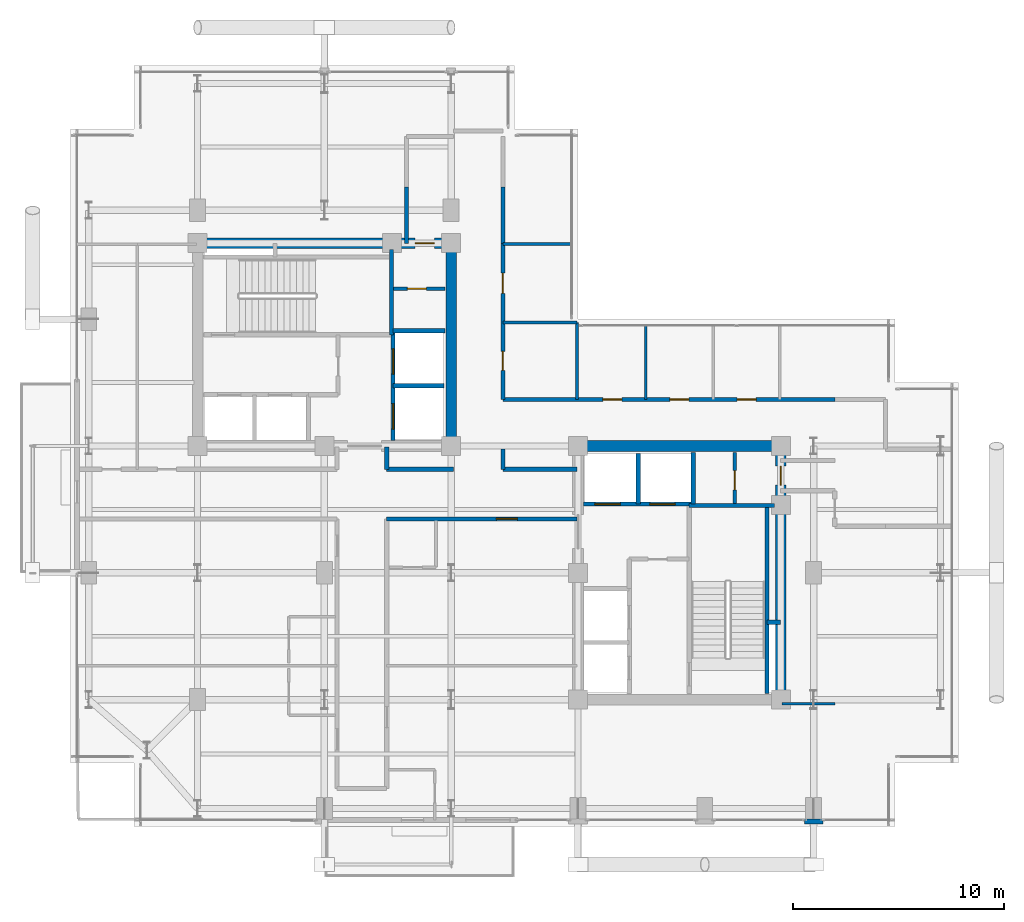
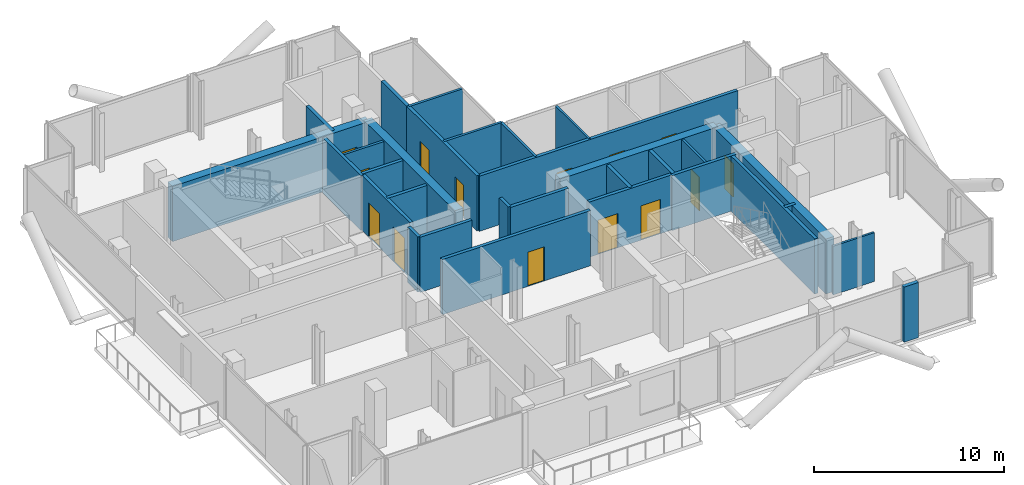
# One storey, part 18 of 21: 31 walls, 14 doors, 14 openings.
"""IFC4 building model written with IfcOpenShell, lengths in metres."""

from ifc_helpers import new_model, si_unit, direction, frame, frame_2d, origin, place, context, subcontext, project, spatial, rectangle, extrude, material, layer, layer_set, type_object, element, fill, save


model = new_model("IFC4")

# Units and contexts
model_context = context("Model", 3, precision=1e-05, world=origin(), true_north=direction((0.0, 1.0)))
body_context = subcontext(model_context, "Body", "Model", "MODEL_VIEW")
ifc_project = project(units=[si_unit("LENGTHUNIT", "METRE"), si_unit("AREAUNIT", "SQUARE_METRE"), si_unit("VOLUMEUNIT", "CUBIC_METRE"), si_unit("PLANEANGLEUNIT", "RADIAN"), si_unit("MASSUNIT", "GRAM", prefix="KILO"), si_unit("THERMODYNAMICTEMPERATUREUNIT", "KELVIN"), si_unit("POWERUNIT", "WATT")], contexts=[model_context])

# Site, building, storey
site_placement = place(None, origin())
site = spatial("IfcSite", under=ifc_project, at=site_placement, CompositionType="ELEMENT")
building_placement = place(site_placement, origin())
building = spatial("IfcBuilding", under=site, at=building_placement, Name="Svarakhadi Broadcast Tower", CompositionType="ELEMENT")
storey_placement = place(building_placement, frame((0.0, 0.0, 208.64990234375)))
storey = spatial("IfcBuildingStorey", under=building, at=storey_placement, Name="L51", CompositionType="ELEMENT", Elevation=208.64990234375)

# Walls
ifc_material_1 = material(Name="Double-Stud Acoustic Studio Partition STC-62", Category="gypsum")
ifc_layer_1 = layer(ifc_material_1, 0.199951171875)
ifc_layer_set_1 = layer_set([ifc_layer_1], Name="Double-Stud Acoustic Studio Partition STC-62")
wall_type_1 = type_object("IfcWallType", Name="Wall_Acoust_200", PredefinedType="PARTITIONING", material=ifc_layer_set_1)
wall_1_placement = place(storey_placement, frame((14.949951171875, 17.949951171875, 0.0), z_axis=(0.0, 0.0, 1.0), x_axis=(0.0, -1.0, 0.0)))
element("IfcWall", 1, at=wall_1_placement, inside=storey, type_object=wall_type_1, Name="L51 Upper Tower Concourse Wall", PredefinedType="PARTITIONING", context=body_context, shape_type="SweptSolid", body=[
    extrude(rectangle(XDim=1.050048828125, YDim=0.199951171875, at=frame_2d((0.52490234375, 0.0))), origin(), (0.0, 0.0, 1.0), 3.5400390625),
])
wall_2_placement = place(storey_placement, frame((14.949951171875, 16.89990234375, 0.0), z_axis=(0.0, 0.0, 1.0), x_axis=(1.0, 0.0, 0.0)))
element("IfcWall", 2, at=wall_2_placement, inside=storey, type_object=wall_type_1, Name="L51 Upper Tower Concourse Wall", PredefinedType="PARTITIONING", context=body_context, shape_type="SweptSolid", body=[
    extrude(rectangle(XDim=3.150146484375, YDim=0.199951171875, at=frame_2d((1.5751953125, 0.0))), origin(), (0.0, 0.0, 1.0), 3.5400390625),
])
for number, where, z_axis, x_axis, name in (
    (3, (15.8798828125, 27.580078125, 0.0), (0.0, 0.0, 1.0), (0.0, 1.0, 0.0), "L51 Upper Tower Concourse Wall"),
    (4, (20.449951171875, 30.25, 0.0), (0.0, 0.0, 1.0), (0.0, -1.0, 0.0), "L51 Upper Tower Concourse Wall"),
):
    element("IfcWall", number, at=place(storey_placement, frame(where, z_axis=z_axis, x_axis=x_axis)), inside=storey, type_object=wall_type_1, Name=name, PredefinedType="PARTITIONING", context=body_context, shape_type="SweptSolid", body=[
        extrude(rectangle(XDim=2.669921875, YDim=0.199951171875, at=frame_2d((1.3349609375, 0.0))), origin(), (0.0, 0.0, 1.0), 3.5400390625),
    ])

# Wall, openings, doors
wall_3_placement = place(storey_placement, frame((20.449951171875, 27.580078125, 0.0), z_axis=(0.0, 0.0, 1.0), x_axis=(0.0, -1.0, 0.0)))
wall_3 = element("IfcWall", 5, at=wall_3_placement, inside=storey, type_object=wall_type_1, Name="L51 Upper Tower Concourse Wall", PredefinedType="PARTITIONING", context=body_context, shape_type="SweptSolid", body=[
    extrude(rectangle(XDim=7.380126953125, YDim=0.199951171875, at=frame_2d((3.68994140625, 0.0))), origin(), (0.0, 0.0, 1.0), 3.5400390625),
])
opening_1_placement = place(wall_3_placement, frame((5.10498046875, 0.0, 0.0)))
opening_1 = element("IfcOpeningElement", 6, at=opening_1_placement, cuts=wall_3, Name="Opening D-12", PredefinedType="OPENING", context=body_context, shape_type="SweptSolid", body=[
    extrude(rectangle(XDim=0.89990234375, YDim=2.10009765625, at=frame_2d((0.449951171875, 1.050048828125))), frame((0.0, 0.10986328125, 0.0), z_axis=(0.0, -1.0, 0.0), x_axis=(1.0, 0.0, 0.0)), (0.0, 0.0, 1.0), 0.219970703125),
])
opening_2_placement = place(wall_3_placement, frame((1.405029296875, 0.0, 0.0)))
opening_2 = element("IfcOpeningElement", 7, at=opening_2_placement, cuts=wall_3, Name="Opening D-07", PredefinedType="OPENING", context=body_context, shape_type="SweptSolid", body=[
    extrude(rectangle(XDim=0.949951171875, YDim=2.14990234375, at=frame_2d((0.47509765625, 1.074951171875))), frame((0.0, 0.10986328125, 0.0), z_axis=(0.0, -1.0, 0.0), x_axis=(1.0, 0.0, 0.0)), (0.0, 0.0, 1.0), 0.219970703125),
])
ifc_material_2 = material(Name="Solid-Core Teak Veneer Acoustic Timber Leaf", Category="wood")
door_type_1 = type_object("IfcDoorType", Name="Door_Office_D07", OperationType="SINGLE_SWING_RIGHT", PredefinedType="DOOR", material=ifc_material_2)
door_1_placement = place(opening_2_placement, origin())
door_1 = element("IfcDoor", 8, at=door_1_placement, inside=storey, type_object=door_type_1, Name="L51 Hotel Butler Service Pantry Door", OperationType="SINGLE_SWING_RIGHT", OverallHeight=2.14990234375, OverallWidth=0.949951171875, PredefinedType="DOOR", context=body_context, shape_type="SweptSolid", body=[
    extrude(rectangle(XDim=0.949951171875, YDim=2.14990234375, at=frame_2d((0.47509765625, 1.074951171875))), frame((0.0, 0.02490234375, 0.0), z_axis=(0.0, -1.0, 0.0), x_axis=(1.0, 0.0, 0.0)), (0.0, 0.0, 1.0), 0.050048828125),
])
fill(opening_2, door_1)
door_type_2 = type_object("IfcDoorType", Name="Door_WC_D01", OperationType="SINGLE_SWING_LEFT", PredefinedType="DOOR", material=ifc_material_2)
door_2_placement = place(opening_1_placement, origin())
door_2 = element("IfcDoor", 9, at=door_2_placement, inside=storey, type_object=door_type_2, Name="L51 Accessible Visitor Washroom WC Door", OperationType="SINGLE_SWING_LEFT", OverallHeight=2.10009765625, OverallWidth=0.89990234375, PredefinedType="DOOR", context=body_context, shape_type="SweptSolid", body=[
    extrude(rectangle(XDim=0.89990234375, YDim=2.10009765625, at=frame_2d((0.449951171875, 1.050048828125))), frame((0.0, 0.02490234375, 0.0), z_axis=(0.0, -1.0, 0.0), x_axis=(1.0, 0.0, 0.0)), (0.0, 0.0, 1.0), 0.050048828125),
])
fill(opening_1, door_2)

wall_4_placement = place(storey_placement, frame((20.449951171875, 20.199951171875, 0.0), z_axis=(0.0, 0.0, 1.0), x_axis=(1.0, 0.0, 0.0)))
wall_4 = element("IfcWall", 10, at=wall_4_placement, inside=storey, type_object=wall_type_1, Name="L51 Upper Tower Concourse Wall", PredefinedType="PARTITIONING", context=body_context, shape_type="SweptSolid", body=[
    extrude(rectangle(XDim=15.699951171875, YDim=0.199951171875, at=frame_2d((7.85009765625, 0.0))), origin(), (0.0, 0.0, 1.0), 3.5400390625),
])
opening_3_placement = place(wall_4_placement, frame((4.72509765625, 0.0, 0.0)))
opening_3 = element("IfcOpeningElement", 11, at=opening_3_placement, cuts=wall_4, Name="Opening D-14", PredefinedType="OPENING", context=body_context, shape_type="SweptSolid", body=[
    extrude(rectangle(XDim=0.89990234375, YDim=2.10009765625, at=frame_2d((0.449951171875, 1.050048828125))), frame((0.0, 0.10986328125, 0.0), z_axis=(0.0, -1.0, 0.0), x_axis=(1.0, 0.0, 0.0)), (0.0, 0.0, 1.0), 0.219970703125),
])
opening_4_placement = place(wall_4_placement, frame((7.89990234375, 0.0, 0.0)))
opening_4 = element("IfcOpeningElement", 12, at=opening_4_placement, cuts=wall_4, Name="Opening D-15", PredefinedType="OPENING", context=body_context, shape_type="SweptSolid", body=[
    extrude(rectangle(XDim=0.89990234375, YDim=2.10009765625, at=frame_2d((0.449951171875, 1.050048828125))), frame((0.0, 0.10986328125, 0.0), z_axis=(0.0, -1.0, 0.0), x_axis=(1.0, 0.0, 0.0)), (0.0, 0.0, 1.0), 0.219970703125),
])
opening_5_placement = place(wall_4_placement, frame((11.074951171875, 0.0, 0.0)))
opening_5 = element("IfcOpeningElement", 13, at=opening_5_placement, cuts=wall_4, Name="Opening D-14", PredefinedType="OPENING", context=body_context, shape_type="SweptSolid", body=[
    extrude(rectangle(XDim=0.89990234375, YDim=2.10009765625, at=frame_2d((0.449951171875, 1.050048828125))), frame((0.0, 0.10986328125, 0.0), z_axis=(0.0, -1.0, 0.0), x_axis=(1.0, 0.0, 0.0)), (0.0, 0.0, 1.0), 0.219970703125),
])
door_type_3 = type_object("IfcDoorType", Name="Door_Int_D14", OperationType="SINGLE_SWING_LEFT", PredefinedType="DOOR", material=ifc_material_2)
door_3_placement = place(opening_3_placement, origin())
door_3 = element("IfcDoor", 14, at=door_3_placement, inside=storey, type_object=door_type_3, Name="L51 Harbour Sky Club Reading Room Door", OperationType="SINGLE_SWING_LEFT", OverallHeight=2.10009765625, OverallWidth=0.89990234375, PredefinedType="DOOR", context=body_context, shape_type="SweptSolid", body=[
    extrude(rectangle(XDim=0.89990234375, YDim=2.10009765625, at=frame_2d((0.449951171875, 1.050048828125))), frame((0.0, 0.02490234375, 0.0), z_axis=(0.0, -1.0, 0.0), x_axis=(1.0, 0.0, 0.0)), (0.0, 0.0, 1.0), 0.050048828125),
])
fill(opening_3, door_3)
door_4_placement = place(opening_5_placement, origin())
door_4 = element("IfcDoor", 15, at=door_4_placement, inside=storey, type_object=door_type_3, Name="L51 VIP Guest Concierge Office Door", OperationType="SINGLE_SWING_LEFT", OverallHeight=2.10009765625, OverallWidth=0.89990234375, PredefinedType="DOOR", context=body_context, shape_type="SweptSolid", body=[
    extrude(rectangle(XDim=0.89990234375, YDim=2.10009765625, at=frame_2d((0.449951171875, 1.050048828125))), frame((0.0, 0.02490234375, 0.0), z_axis=(0.0, -1.0, 0.0), x_axis=(1.0, 0.0, 0.0)), (0.0, 0.0, 1.0), 0.050048828125),
])
fill(opening_5, door_4)
door_type_4 = type_object("IfcDoorType", Name="Door_Int_D15", OperationType="SINGLE_SWING_RIGHT", PredefinedType="DOOR", material=ifc_material_2)
door_5_placement = place(opening_4_placement, origin())
door_5 = element("IfcDoor", 16, at=door_5_placement, inside=storey, type_object=door_type_4, Name="L51 Private Sommelier Tasting Pantry Door", OperationType="SINGLE_SWING_RIGHT", OverallHeight=2.10009765625, OverallWidth=0.89990234375, PredefinedType="DOOR", context=body_context, shape_type="SweptSolid", body=[
    extrude(rectangle(XDim=0.89990234375, YDim=2.10009765625, at=frame_2d((0.449951171875, 1.050048828125))), frame((0.0, 0.02490234375, 0.0), z_axis=(0.0, -1.0, 0.0), x_axis=(1.0, 0.0, 0.0)), (0.0, 0.0, 1.0), 0.050048828125),
])
fill(opening_4, door_5)

# Walls
wall_5_placement = place(storey_placement, frame((20.449951171875, 17.85009765625, 0.0), z_axis=(0.0, 0.0, 1.0), x_axis=(0.0, -1.0, 0.0)))
element("IfcWall", 17, at=wall_5_placement, inside=storey, type_object=wall_type_1, Name="L51 Upper Tower Concourse Wall", PredefinedType="PARTITIONING", context=body_context, shape_type="SweptSolid", body=[
    extrude(rectangle(XDim=0.9501953125, YDim=0.199951171875, at=frame_2d((0.47509765625, 0.0))), origin(), (0.0, 0.0, 1.0), 3.5400390625),
])
wall_6_placement = place(storey_placement, frame((20.449951171875, 16.89990234375, 0.0), z_axis=(0.0, 0.0, 1.0), x_axis=(1.0, 0.0, 0.0)))
element("IfcWall", 18, at=wall_6_placement, inside=storey, type_object=wall_type_1, Name="L51 Upper Tower Concourse Wall", PredefinedType="PARTITIONING", context=body_context, shape_type="SweptSolid", body=[
    extrude(rectangle(XDim=3.5, YDim=0.199951171875, at=frame_2d((1.75, 0.0))), origin(), (0.0, 0.0, 1.0), 3.5400390625),
])

# Wall, opening, door
wall_7_placement = place(storey_placement, frame((23.949951171875, 14.550048828125, 0.0), z_axis=(0.0, 0.0, 1.0), x_axis=(-1.0, 0.0, 0.0)))
wall_7 = element("IfcWall", 19, at=wall_7_placement, inside=storey, type_object=wall_type_1, Name="L51 Upper Tower Concourse Wall", PredefinedType="PARTITIONING", context=body_context, shape_type="SweptSolid", body=[
    extrude(rectangle(XDim=9.0, YDim=0.199951171875, at=frame_2d((4.5, 0.0))), origin(), (0.0, 0.0, 1.0), 3.5400390625),
])
opening_6_placement = place(wall_7_placement, frame((2.81494140625, 0.0, 0.0)))
opening_6 = element("IfcOpeningElement", 20, at=opening_6_placement, cuts=wall_7, Name="Opening D-08", PredefinedType="OPENING", context=body_context, shape_type="SweptSolid", body=[
    extrude(rectangle(XDim=1.0, YDim=2.199951171875, at=frame_2d((0.5, 1.10009765625))), frame((0.0, 0.10986328125, 0.0), z_axis=(0.0, -1.0, 0.0), x_axis=(1.0, 0.0, 0.0)), (0.0, 0.0, 1.0), 0.219970703125),
])
door_type_5 = type_object("IfcDoorType", Name="Door_Suite_D08", OperationType="SINGLE_SWING_LEFT", PredefinedType="DOOR", material=ifc_material_2)
door_6_placement = place(opening_6_placement, origin())
door_6 = element("IfcDoor", 21, at=door_6_placement, inside=storey, type_object=door_type_5, Name="L51 Deluxe Harbour Guest Room Entrance Door", OperationType="SINGLE_SWING_LEFT", OverallHeight=2.199951171875, OverallWidth=1.0, PredefinedType="DOOR", context=body_context, shape_type="SweptSolid", body=[
    extrude(rectangle(XDim=1.0, YDim=2.199951171875, at=frame_2d((0.5, 1.10009765625))), frame((0.0, 0.02490234375, 0.0), z_axis=(0.0, -1.0, 0.0), x_axis=(1.0, 0.0, 0.0)), (0.0, 0.0, 1.0), 0.050048828125),
])
fill(opening_6, door_6)

# Walls
ifc_material_3 = material(Name="Concrete C40/50 (IS 456 M50)", Category="concrete")
ifc_layer_2 = layer(ifc_material_3, 0.239990234375)
ifc_layer_set_2 = layer_set([ifc_layer_2], Name="Concrete C40/50 (IS 456 M50)")
wall_type_2 = type_object("IfcWallType", Name="Wall_Ext_240", PredefinedType="SOLIDWALL", material=ifc_layer_set_2)
wall_8_placement = place(storey_placement, frame((35.590087890625, 0.239990234375, 0.0), z_axis=(0.0, 0.0, 1.0), x_axis=(-1.0, 0.0, 0.0)))
element("IfcWall", 22, at=wall_8_placement, inside=storey, type_object=wall_type_2, Name="L51 Perimeter Bronze Spandrel Closure Wall 03", PredefinedType="SOLIDWALL", context=body_context, shape_type="SweptSolid", body=[
    extrude(rectangle(XDim=0.880126953125, YDim=0.239990234375, at=frame_2d((0.43994140625, 0.0))), origin(), (0.0, 0.0, 1.0), 3.5400390625),
])
ifc_layer_3 = layer(ifc_material_3, 0.199951171875)
ifc_layer_set_3 = layer_set([ifc_layer_3], Name="Concrete C40/50 (IS 456 M50)")
wall_type_3 = type_object("IfcWallType", Name="Wall_Fire_200", PredefinedType="SOLIDWALL", material=ifc_layer_set_3)
wall_9_placement = place(storey_placement, frame((32.93994140625, 9.659912109375, 0.0), z_axis=(0.0, 0.0, 1.0), x_axis=(1.0, 0.0, 0.0)))
element("IfcWall", 23, at=wall_9_placement, inside=storey, type_object=wall_type_3, Name="L51 HV Busduct Riser Shaft North Wall", PredefinedType="SOLIDWALL", context=body_context, shape_type="SweptSolid", body=[
    extrude(rectangle(XDim=0.64013671875, YDim=0.199951171875, at=frame_2d((0.320068359375, 0.0))), origin(), (0.0, 0.0, 1.0), 3.5400390625),
])
ifc_material_4 = material(Name="Fire-Rated Moisture-Resistant Gypsum Board Partition", Category="gypsum")
ifc_layer_4 = layer(ifc_material_4, 0.125)
ifc_layer_set_4 = layer_set([ifc_layer_4], Name="Fire-Rated Moisture-Resistant Gypsum Board Partition")
wall_type_4 = type_object("IfcWallType", Name="Wall_Part_125", PredefinedType="PARTITIONING", material=ifc_layer_set_4)
wall_10_placement = place(storey_placement, frame((27.199951171875, 20.199951171875, 0.0), z_axis=(0.0, 0.0, 1.0), x_axis=(0.0, 1.0, 0.0)))
element("IfcWall", 24, at=wall_10_placement, inside=storey, type_object=wall_type_4, Name="L51 Harbour Sky Club Reading Room Wall", PredefinedType="PARTITIONING", context=body_context, shape_type="SweptSolid", body=[
    extrude(rectangle(XDim=3.5, YDim=0.125, at=frame_2d((1.75, 0.0))), origin(), (0.0, 0.0, 1.0), 3.5400390625),
])
wall_11_placement = place(storey_placement, frame((33.64990234375, 5.800048828125, 0.0), z_axis=(0.0, 0.0, 1.0), x_axis=(1.0, 0.0, 0.0)))
element("IfcWall", 25, at=wall_11_placement, inside=storey, type_object=wall_type_4, Name="L51 Harbour Club Reading Salon Wall", PredefinedType="PARTITIONING", context=body_context, shape_type="SweptSolid", body=[
    extrude(rectangle(XDim=2.5, YDim=0.125, at=frame_2d((1.25, 0.0))), origin(), (0.0, 0.0, 1.0), 3.132080078125),
])

# Wall, opening, door
ifc_material_5 = material(Name="Autoclaved Aerated Concrete Blockwork 150 mm", Category="masonry")
ifc_layer_5 = layer(ifc_material_5, 0.14990234375)
ifc_layer_set_5 = layer_set([ifc_layer_5], Name="Autoclaved Aerated Concrete Blockwork 150 mm")
wall_type_5 = type_object("IfcWallType", Name="Wall_Part_150", PredefinedType="PARTITIONING", material=ifc_layer_set_5)
wall_12_placement = place(storey_placement, frame((15.280029296875, 25.43994140625, 0.0), z_axis=(0.0, 0.0, 1.0), x_axis=(1.0, 0.0, 0.0)))
wall_12 = element("IfcWall", 26, at=wall_12_placement, inside=storey, type_object=wall_type_5, Name="L51 West Core Dual Store Wall", PredefinedType="PARTITIONING", context=body_context, shape_type="SweptSolid", body=[
    extrude(rectangle(XDim=2.419921875, YDim=0.14990234375, at=frame_2d((1.2099609375, 0.0))), origin(), (0.0, 0.0, 1.0), 3.5400390625),
])
opening_7_placement = place(wall_12_placement, frame((0.64990234375, 0.0, 0.0)))
opening_7 = element("IfcOpeningElement", 27, at=opening_7_placement, cuts=wall_12, Name="Opening D-03", PredefinedType="OPENING", context=body_context, shape_type="SweptSolid", body=[
    extrude(rectangle(XDim=0.89990234375, YDim=2.14990234375, at=frame_2d((0.449951171875, 1.074951171875))), frame((0.0, 0.0849609375, 0.0), z_axis=(0.0, -1.0, 0.0), x_axis=(1.0, 0.0, 0.0)), (0.0, 0.0, 1.0), 0.169921875),
])
ifc_material_6 = material(Name="Galvanised Powder-Coated Fire-Rated Steel Leaf", Category="steel")
door_type_6 = type_object("IfcDoorType", Name="Door_Fire_D03", OperationType="SINGLE_SWING_LEFT", PredefinedType="DOOR", material=ifc_material_6)
door_7_placement = place(opening_7_placement, origin())
door_7 = element("IfcDoor", 28, at=door_7_placement, inside=storey, type_object=door_type_6, Name="L51 West Core Store B Door", OperationType="SINGLE_SWING_LEFT", OverallHeight=2.14990234375, OverallWidth=0.89990234375, PredefinedType="DOOR", context=body_context, shape_type="SweptSolid", body=[
    extrude(rectangle(XDim=0.89990234375, YDim=2.14990234375, at=frame_2d((0.449951171875, 1.074951171875))), frame((0.0, 0.02490234375, 0.0), z_axis=(0.0, -1.0, 0.0), x_axis=(1.0, 0.0, 0.0)), (0.0, 0.0, 1.0), 0.050048828125),
])
fill(opening_7, door_7)

wall_13_placement = place(storey_placement, frame((31.419921875, 15.280029296875, 0.0), z_axis=(0.0, 0.0, 1.0), x_axis=(0.0, 1.0, 0.0)))
wall_13 = element("IfcWall", 29, at=wall_13_placement, inside=storey, type_object=wall_type_5, Name="L51 East Core Dual Store Wall", PredefinedType="PARTITIONING", context=body_context, shape_type="SweptSolid", body=[
    extrude(rectangle(XDim=2.419921875, YDim=0.14990234375, at=frame_2d((1.2099609375, 0.0))), origin(), (0.0, 0.0, 1.0), 3.5400390625),
])
opening_8_placement = place(wall_13_placement, frame((0.64990234375, 0.0, 0.0)))
opening_8 = element("IfcOpeningElement", 30, at=opening_8_placement, cuts=wall_13, Name="Opening D-04", PredefinedType="OPENING", context=body_context, shape_type="SweptSolid", body=[
    extrude(rectangle(XDim=0.89990234375, YDim=2.14990234375, at=frame_2d((0.449951171875, 1.074951171875))), frame((0.0, 0.0849609375, 0.0), z_axis=(0.0, -1.0, 0.0), x_axis=(1.0, 0.0, 0.0)), (0.0, 0.0, 1.0), 0.169921875),
])
door_type_7 = type_object("IfcDoorType", Name="Door_Fire_D04", OperationType="SINGLE_SWING_RIGHT", PredefinedType="DOOR", material=ifc_material_6)
door_8_placement = place(opening_8_placement, origin())
door_8 = element("IfcDoor", 31, at=door_8_placement, inside=storey, type_object=door_type_7, Name="L51 East Core Store B Door", OperationType="SINGLE_SWING_RIGHT", OverallHeight=2.14990234375, OverallWidth=0.89990234375, PredefinedType="DOOR", context=body_context, shape_type="SweptSolid", body=[
    extrude(rectangle(XDim=0.89990234375, YDim=2.14990234375, at=frame_2d((0.449951171875, 1.074951171875))), frame((0.0, 0.02490234375, 0.0), z_axis=(0.0, -1.0, 0.0), x_axis=(1.0, 0.0, 0.0)), (0.0, 0.0, 1.0), 0.050048828125),
])
fill(opening_8, door_8)

# Walls
wall_14_placement = place(storey_placement, frame((20.449951171875, 23.85009765625, 0.0), z_axis=(0.0, 0.0, 1.0), x_axis=(1.0, 0.0, 0.0)))
element("IfcWall", 32, at=wall_14_placement, inside=storey, type_object=wall_type_5, Name="L51 Accessible Visitor Washroom WC Wall", PredefinedType="PARTITIONING", context=body_context, shape_type="SweptSolid", body=[
    extrude(rectangle(XDim=3.5, YDim=0.14990234375, at=frame_2d((1.75, 0.0))), origin(), (0.0, 0.0, 1.0), 3.5400390625),
])
wall_15_placement = place(storey_placement, frame((23.949951171875, 20.199951171875, 0.0), z_axis=(0.0, 0.0, 1.0), x_axis=(0.0, 1.0, 0.0)))
element("IfcWall", 33, at=wall_15_placement, inside=storey, type_object=wall_type_5, Name="L51 Accessible Visitor Washroom WC Wall", PredefinedType="PARTITIONING", context=body_context, shape_type="SweptSolid", body=[
    extrude(rectangle(XDim=3.650146484375, YDim=0.14990234375, at=frame_2d((1.8251953125, 0.0))), origin(), (0.0, 0.0, 1.0), 3.5400390625),
])
wall_16_placement = place(storey_placement, frame((20.449951171875, 27.550048828125, 0.0), z_axis=(0.0, 0.0, 1.0), x_axis=(1.0, 0.0, 0.0)))
element("IfcWall", 34, at=wall_16_placement, inside=storey, type_object=wall_type_5, Name="L51 Hotel Butler Service Pantry Wall", PredefinedType="PARTITIONING", context=body_context, shape_type="SweptSolid", body=[
    extrude(rectangle(XDim=3.25, YDim=0.14990234375, at=frame_2d((1.625, 0.0))), origin(), (0.0, 0.0, 1.0), 3.5400390625),
])
ifc_material_7 = material(Name="Concrete C50/60 (IS 456 M60)", Category="concrete")
ifc_layer_6 = layer(ifc_material_7, 0.199951171875)
ifc_layer_set_6 = layer_set([ifc_layer_6], Name="Concrete C50/60 (IS 456 M60)")
wall_type_6 = type_object("IfcWallType", Name="Wall_Shear_200", PredefinedType="SHEAR", material=ifc_layer_set_6)
wall_17_placement = place(storey_placement, frame((15.179931640625, 23.260009765625, 0.0), z_axis=(0.0, 0.0, 1.0), x_axis=(0.0, 1.0, 0.0)))
element("IfcWall", 35, at=wall_17_placement, inside=storey, type_object=wall_type_6, Name="L51 Stair ST-01 East RC Shaft Wall", PredefinedType="SHEAR", context=body_context, shape_type="SweptSolid", body=[
    extrude(rectangle(XDim=4.0400390625, YDim=0.199951171875, at=frame_2d((2.02001953125, 0.0))), origin(), (0.0, 0.0, 1.0), 3.5400390625),
])
wall_18_placement = place(storey_placement, frame((32.93994140625, 6.300048828125, 0.0), z_axis=(0.0, 0.0, 1.0), x_axis=(0.0, 1.0, 0.0)))
element("IfcWall", 36, at=wall_18_placement, inside=storey, type_object=wall_type_6, Name="L51 Stair ST-02 East RC Shaft Wall", PredefinedType="SHEAR", context=body_context, shape_type="SweptSolid", body=[
    extrude(rectangle(XDim=8.8798828125, YDim=0.199951171875, at=frame_2d((4.43994140625, 0.0))), origin(), (0.0, 0.0, 1.0), 3.5400390625),
])
wall_19_placement = place(storey_placement, frame((29.260009765625, 15.179931640625, 0.0), z_axis=(0.0, 0.0, 1.0), x_axis=(1.0, 0.0, 0.0)))
element("IfcWall", 37, at=wall_19_placement, inside=storey, type_object=wall_type_6, Name="L51 Stair ST-02 North RC Shaft Wall", PredefinedType="SHEAR", context=body_context, shape_type="SweptSolid", body=[
    extrude(rectangle(XDim=4.0400390625, YDim=0.199951171875, at=frame_2d((2.02001953125, 0.0))), origin(), (0.0, 0.0, 1.0), 3.5400390625),
])

# Wall, openings, doors
wall_20_placement = place(storey_placement, frame((15.25, 18.25, 0.0), z_axis=(0.0, 0.0, 1.0), x_axis=(0.0, 1.0, 0.0)))
wall_20 = element("IfcWall", 38, at=wall_20_placement, inside=storey, type_object=wall_type_6, Name="L51 High-Rise Lift LF-13/14 West Shaft Wall", PredefinedType="SHEAR", context=body_context, shape_type="SweptSolid", body=[
    extrude(rectangle(XDim=5.199951171875, YDim=0.199951171875, at=frame_2d((2.60009765625, 0.0))), origin(), (0.0, 0.0, 1.0), 3.5400390625),
])
opening_9_placement = place(wall_20_placement, frame((0.550048828125, 0.0, 0.0)))
opening_9 = element("IfcOpeningElement", 39, at=opening_9_placement, cuts=wall_20, Name="Opening LD-02", PredefinedType="OPENING", context=body_context, shape_type="SweptSolid", body=[
    extrude(rectangle(XDim=1.199951171875, YDim=2.199951171875, at=frame_2d((0.60009765625, 1.10009765625))), frame((0.0, 0.10986328125, 0.0), z_axis=(0.0, -1.0, 0.0), x_axis=(1.0, 0.0, 0.0)), (0.0, 0.0, 1.0), 0.219970703125),
])
opening_10_placement = place(wall_20_placement, frame((3.14990234375, 0.0, 0.0)))
opening_10 = element("IfcOpeningElement", 40, at=opening_10_placement, cuts=wall_20, Name="Opening LD-02", PredefinedType="OPENING", context=body_context, shape_type="SweptSolid", body=[
    extrude(rectangle(XDim=1.199951171875, YDim=2.199951171875, at=frame_2d((0.60009765625, 1.10009765625))), frame((0.0, 0.10986328125, 0.0), z_axis=(0.0, -1.0, 0.0), x_axis=(1.0, 0.0, 0.0)), (0.0, 0.0, 1.0), 0.219970703125),
])
door_type_8 = type_object("IfcDoorType", Name="Door_Lift_LD02", OperationType="SLIDING_TO_RIGHT", PredefinedType="DOOR", material=ifc_material_6)
door_9_placement = place(opening_9_placement, origin())
door_9 = element("IfcDoor", 41, at=door_9_placement, inside=storey, type_object=door_type_8, Name="L51 High-Rise Lift LF-13 Landing Door", OperationType="SLIDING_TO_RIGHT", OverallHeight=2.199951171875, OverallWidth=1.199951171875, PredefinedType="DOOR", context=body_context, shape_type="SweptSolid", body=[
    extrude(rectangle(XDim=1.199951171875, YDim=2.199951171875, at=frame_2d((0.60009765625, 1.10009765625))), frame((0.0, 0.02490234375, 0.0), z_axis=(0.0, -1.0, 0.0), x_axis=(1.0, 0.0, 0.0)), (0.0, 0.0, 1.0), 0.050048828125),
])
fill(opening_9, door_9)
door_10_placement = place(opening_10_placement, origin())
door_10 = element("IfcDoor", 42, at=door_10_placement, inside=storey, type_object=door_type_8, Name="L51 High-Rise Lift LF-14 Landing Door", OperationType="SLIDING_TO_RIGHT", OverallHeight=2.199951171875, OverallWidth=1.199951171875, PredefinedType="DOOR", context=body_context, shape_type="SweptSolid", body=[
    extrude(rectangle(XDim=1.199951171875, YDim=2.199951171875, at=frame_2d((0.60009765625, 1.10009765625))), frame((0.0, 0.02490234375, 0.0), z_axis=(0.0, -1.0, 0.0), x_axis=(1.0, 0.0, 0.0)), (0.0, 0.0, 1.0), 0.050048828125),
])
fill(opening_10, door_10)

# Walls
wall_21_placement = place(storey_placement, frame((15.25, 20.85009765625, 0.0), z_axis=(0.0, 0.0, 1.0), x_axis=(1.0, 0.0, 0.0)))
element("IfcWall", 43, at=wall_21_placement, inside=storey, type_object=wall_type_6, Name="L51 High-Rise Lift LF-13/14 Divider", PredefinedType="SHEAR", context=body_context, shape_type="SweptSolid", body=[
    extrude(rectangle(XDim=2.39990234375, YDim=0.199951171875, at=frame_2d((1.199951171875, 0.0))), origin(), (0.0, 0.0, 1.0), 3.5400390625),
])
wall_22_placement = place(storey_placement, frame((15.25, 23.449951171875, 0.0), z_axis=(0.0, 0.0, 1.0), x_axis=(1.0, 0.0, 0.0)))
element("IfcWall", 44, at=wall_22_placement, inside=storey, type_object=wall_type_6, Name="L51 High-Rise Lift LF-13/14 North Wall", PredefinedType="SHEAR", context=body_context, shape_type="SweptSolid", body=[
    extrude(rectangle(XDim=2.449951171875, YDim=0.199951171875, at=frame_2d((1.22509765625, 0.0))), origin(), (0.0, 0.0, 1.0), 3.5400390625),
])

# Wall, openings, doors
wall_23_placement = place(storey_placement, frame((24.25, 15.25, 0.0), z_axis=(0.0, 0.0, 1.0), x_axis=(1.0, 0.0, 0.0)))
wall_23 = element("IfcWall", 45, at=wall_23_placement, inside=storey, type_object=wall_type_6, Name="L51 High-Rise Lift LF-15/16 South Shaft Wall", PredefinedType="SHEAR", context=body_context, shape_type="SweptSolid", body=[
    extrude(rectangle(XDim=5.199951171875, YDim=0.199951171875, at=frame_2d((2.60009765625, 0.0))), origin(), (0.0, 0.0, 1.0), 3.5400390625),
])
opening_11_placement = place(wall_23_placement, frame((0.550048828125, 0.0, 0.0)))
opening_11 = element("IfcOpeningElement", 46, at=opening_11_placement, cuts=wall_23, Name="Opening LD-02", PredefinedType="OPENING", context=body_context, shape_type="SweptSolid", body=[
    extrude(rectangle(XDim=1.199951171875, YDim=2.199951171875, at=frame_2d((0.60009765625, 1.10009765625))), frame((0.0, 0.10986328125, 0.0), z_axis=(0.0, -1.0, 0.0), x_axis=(1.0, 0.0, 0.0)), (0.0, 0.0, 1.0), 0.219970703125),
])
opening_12_placement = place(wall_23_placement, frame((3.14990234375, 0.0, 0.0)))
opening_12 = element("IfcOpeningElement", 47, at=opening_12_placement, cuts=wall_23, Name="Opening LD-02", PredefinedType="OPENING", context=body_context, shape_type="SweptSolid", body=[
    extrude(rectangle(XDim=1.199951171875, YDim=2.199951171875, at=frame_2d((0.60009765625, 1.10009765625))), frame((0.0, 0.10986328125, 0.0), z_axis=(0.0, -1.0, 0.0), x_axis=(1.0, 0.0, 0.0)), (0.0, 0.0, 1.0), 0.219970703125),
])
door_11_placement = place(opening_11_placement, origin())
door_11 = element("IfcDoor", 48, at=door_11_placement, inside=storey, type_object=door_type_8, Name="L51 High-Rise Lift LF-15 Landing Door", OperationType="SLIDING_TO_RIGHT", OverallHeight=2.199951171875, OverallWidth=1.199951171875, PredefinedType="DOOR", context=body_context, shape_type="SweptSolid", body=[
    extrude(rectangle(XDim=1.199951171875, YDim=2.199951171875, at=frame_2d((0.60009765625, 1.10009765625))), frame((0.0, 0.02490234375, 0.0), z_axis=(0.0, -1.0, 0.0), x_axis=(1.0, 0.0, 0.0)), (0.0, 0.0, 1.0), 0.050048828125),
])
fill(opening_11, door_11)
door_12_placement = place(opening_12_placement, origin())
door_12 = element("IfcDoor", 49, at=door_12_placement, inside=storey, type_object=door_type_8, Name="L51 High-Rise Lift LF-16 Landing Door", OperationType="SLIDING_TO_RIGHT", OverallHeight=2.199951171875, OverallWidth=1.199951171875, PredefinedType="DOOR", context=body_context, shape_type="SweptSolid", body=[
    extrude(rectangle(XDim=1.199951171875, YDim=2.199951171875, at=frame_2d((0.60009765625, 1.10009765625))), frame((0.0, 0.02490234375, 0.0), z_axis=(0.0, -1.0, 0.0), x_axis=(1.0, 0.0, 0.0)), (0.0, 0.0, 1.0), 0.050048828125),
])
fill(opening_12, door_12)

# Walls
wall_24_placement = place(storey_placement, frame((26.85009765625, 15.25, 0.0), z_axis=(0.0, 0.0, 1.0), x_axis=(0.0, 1.0, 0.0)))
element("IfcWall", 50, at=wall_24_placement, inside=storey, type_object=wall_type_6, Name="L51 High-Rise Lift LF-15/16 Divider", PredefinedType="SHEAR", context=body_context, shape_type="SweptSolid", body=[
    extrude(rectangle(XDim=2.39990234375, YDim=0.199951171875, at=frame_2d((1.199951171875, 0.0))), origin(), (0.0, 0.0, 1.0), 3.5400390625),
])
wall_25_placement = place(storey_placement, frame((29.449951171875, 15.25, 0.0), z_axis=(0.0, 0.0, 1.0), x_axis=(0.0, 1.0, 0.0)))
element("IfcWall", 51, at=wall_25_placement, inside=storey, type_object=wall_type_6, Name="L51 High-Rise Lift LF-15/16 East Wall", PredefinedType="SHEAR", context=body_context, shape_type="SweptSolid", body=[
    extrude(rectangle(XDim=2.449951171875, YDim=0.199951171875, at=frame_2d((1.22509765625, 0.0))), origin(), (0.0, 0.0, 1.0), 3.5400390625),
])

# Wall, opening, door
ifc_layer_7 = layer(ifc_material_7, 0.5)
ifc_layer_set_7 = layer_set([ifc_layer_7], Name="Concrete C50/60 (IS 456 M60)")
wall_type_7 = type_object("IfcWallType", Name="Wall_Shear_500", PredefinedType="SHEAR", material=ifc_layer_set_7)
wall_26_placement = place(storey_placement, frame((6.0, 27.60009765625, 0.0), z_axis=(0.0, 0.0, 1.0), x_axis=(1.0, 0.0, 0.0)))
wall_26 = element("IfcWall", 52, at=wall_26_placement, inside=storey, type_object=wall_type_7, Name="L51 West Core North Shear Wall", PredefinedType="SHEAR", context=body_context, shape_type="SweptSolid", body=[
    extrude(rectangle(XDim=12.0, YDim=0.5, at=frame_2d((6.0, 0.0))), origin(), (0.0, 0.0, 1.0), 3.5400390625),
])
opening_13_placement = place(wall_26_placement, frame((10.300048828125, 0.0, 0.0)))
opening_13 = element("IfcOpeningElement", 53, at=opening_13_placement, cuts=wall_26, Name="Opening D-03", PredefinedType="OPENING", context=body_context, shape_type="SweptSolid", body=[
    extrude(rectangle(XDim=0.89990234375, YDim=2.14990234375, at=frame_2d((0.449951171875, 1.074951171875))), frame((0.0, 0.260009765625, 0.0), z_axis=(0.0, -1.0, 0.0), x_axis=(1.0, 0.0, 0.0)), (0.0, 0.0, 1.0), 0.52001953125),
])
door_13_placement = place(opening_13_placement, origin())
door_13 = element("IfcDoor", 54, at=door_13_placement, inside=storey, type_object=door_type_6, Name="L51 West Core Store A Door", OperationType="SINGLE_SWING_LEFT", OverallHeight=2.14990234375, OverallWidth=0.89990234375, PredefinedType="DOOR", context=body_context, shape_type="SweptSolid", body=[
    extrude(rectangle(XDim=0.89990234375, YDim=2.14990234375, at=frame_2d((0.449951171875, 1.074951171875))), frame((0.0, 0.02490234375, 0.0), z_axis=(0.0, -1.0, 0.0), x_axis=(1.0, 0.0, 0.0)), (0.0, 0.0, 1.0), 0.050048828125),
])
fill(opening_13, door_13)

# Walls
for number, where, z_axis, x_axis, name in (
    (55, (18.0, 18.0, 0.0), (0.0, 0.0, 1.0), (0.0, 1.0, 0.0), "L51 West Core East Shear Wall"),
    (56, (24.0, 18.0, 0.0), (0.0, 0.0, 1.0), (1.0, 0.0, 0.0), "L51 East Core North Shear Wall"),
):
    element("IfcWall", number, at=place(storey_placement, frame(where, z_axis=z_axis, x_axis=x_axis)), inside=storey, type_object=wall_type_7, Name=name, PredefinedType="SHEAR", context=body_context, shape_type="SweptSolid", body=[
        extrude(rectangle(XDim=9.60009765625, YDim=0.5, at=frame_2d((4.800048828125, 0.0))), origin(), (0.0, 0.0, 1.0), 3.5400390625),
    ])

# Wall, opening, door
wall_27_placement = place(storey_placement, frame((33.60009765625, 6.0, 0.0), z_axis=(0.0, 0.0, 1.0), x_axis=(0.0, 1.0, 0.0)))
wall_27 = element("IfcWall", 57, at=wall_27_placement, inside=storey, type_object=wall_type_7, Name="L51 East Core East Shear Wall", PredefinedType="SHEAR", context=body_context, shape_type="SweptSolid", body=[
    extrude(rectangle(XDim=12.0, YDim=0.5, at=frame_2d((6.0, 0.0))), origin(), (0.0, 0.0, 1.0), 3.5400390625),
])
opening_14_placement = place(wall_27_placement, frame((10.14990234375, 0.0, 0.0)))
opening_14 = element("IfcOpeningElement", 58, at=opening_14_placement, cuts=wall_27, Name="Opening D-04", PredefinedType="OPENING", context=body_context, shape_type="SweptSolid", body=[
    extrude(rectangle(XDim=0.89990234375, YDim=2.14990234375, at=frame_2d((0.449951171875, 1.074951171875))), frame((0.0, 0.260009765625, 0.0), z_axis=(0.0, -1.0, 0.0), x_axis=(1.0, 0.0, 0.0)), (0.0, 0.0, 1.0), 0.52001953125),
])
door_14_placement = place(opening_14_placement, origin())
door_14 = element("IfcDoor", 59, at=door_14_placement, inside=storey, type_object=door_type_7, Name="L51 East Core Store A Door", OperationType="SINGLE_SWING_RIGHT", OverallHeight=2.14990234375, OverallWidth=0.89990234375, PredefinedType="DOOR", context=body_context, shape_type="SweptSolid", body=[
    extrude(rectangle(XDim=0.89990234375, YDim=2.14990234375, at=frame_2d((0.449951171875, 1.074951171875))), frame((0.0, 0.02490234375, 0.0), z_axis=(0.0, -1.0, 0.0), x_axis=(1.0, 0.0, 0.0)), (0.0, 0.0, 1.0), 0.050048828125),
])
fill(opening_14, door_14)

save(model, "model.ifc")
